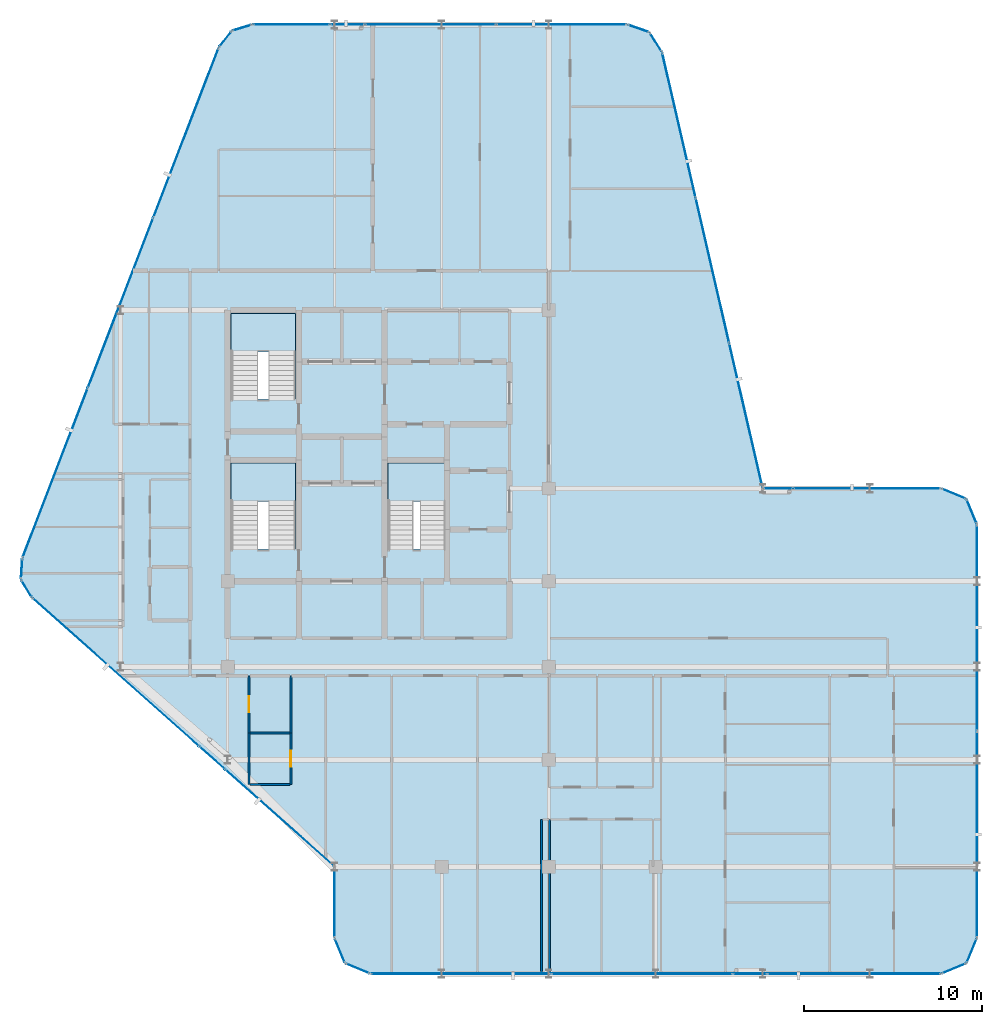
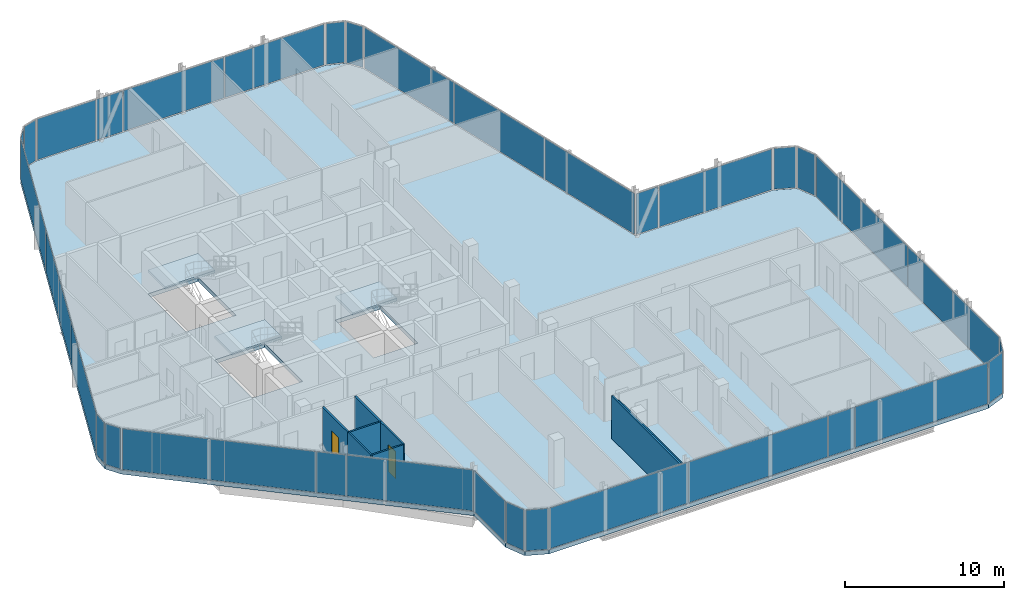
# One storey, part 22 of 28: 34 plates, 8 walls, 4 slabs, 2 doors, 2 openings, 30 elements without a shape of their own.
"""IFC4 building model written with IfcOpenShell, lengths in metres."""

import ifcopenshell
import ifcopenshell.guid

model = None  # the IFC model being written
_history = None  # IfcOwnerHistory: only IFC2X3 demands one
_inside = {}  # id of a spatial element -> (the spatial element, [elements in it])
_under = {}  # id of a project, library or spatial element -> (it, [spatial elements below it])
_declared = {}  # id of a project -> (the project, [libraries it declares])
_typed = {}  # id of a type object -> (the type object, [elements of that type])
_made_of = {}  # id of a material, layer set ... -> (it, [elements and type objects made of it])


def new_model(schema):
    """Start an empty IFC model of exactly this schema.

    Asked for "IFC4X3", IfcOpenShell would pick the latest addendum, in which some entities
    have other attributes; the version numbers below select the first issue.
    IFC2X3 requires an IfcOwnerHistory on every rooted entity: one is made here for all.
    """
    global model, _history
    if schema == "IFC4X3":
        model = ifcopenshell.file(schema_version=(4, 3, 0, 0))
    else:
        model = ifcopenshell.file(schema=schema)
    _inside.clear()
    _under.clear()
    _declared.clear()
    _typed.clear()
    _made_of.clear()
    _history = None
    if model.schema == "IFC2X3":
        org = make("IfcOrganization", Name="unknown")
        user = make(
            "IfcPersonAndOrganization",
            ThePerson=make("IfcPerson", FamilyName="unknown"),
            TheOrganization=org,
        )
        app = make(
            "IfcApplication",
            ApplicationDeveloper=org,
            Version="unknown",
            ApplicationFullName="unknown",
            ApplicationIdentifier="unknown",
        )
        _history = make(
            "IfcOwnerHistory",
            OwningUser=user,
            OwningApplication=app,
            ChangeAction="ADDED",
            CreationDate=0,
        )
    return model


def make(cls, **values):
    """One entity of the class cls with the attributes given. An attribute that is None is left unset."""
    return model.create_entity(
        cls, **{name: value for name, value in values.items() if value is not None}
    )


def rooted(cls, **values):
    """An entity with a GlobalId (a new one), such as an element, a storey or a relation."""
    return make(cls, GlobalId=ifcopenshell.guid.new(), OwnerHistory=_history, **values)


def si_unit(unit_type, name, prefix=None):
    """IfcSIUnit, for example si_unit("LENGTHUNIT", "METRE", prefix="MILLI")."""
    return make("IfcSIUnit", UnitType=unit_type, Prefix=prefix, Name=name)


def assignment(units):
    """IfcUnitAssignment: the units of a project."""
    return None if units is None else make("IfcUnitAssignment", Units=units)


def point(xyz):
    """IfcCartesianPoint."""
    return None if xyz is None else make("IfcCartesianPoint", Coordinates=xyz)


def direction(xyz):
    """IfcDirection."""
    return None if xyz is None else make("IfcDirection", DirectionRatios=xyz)


def frame(location, z_axis=None, x_axis=None):
    """IfcAxis2Placement3D, a coordinate frame: its origin and axes. An axis left out is left unset."""
    return make(
        "IfcAxis2Placement3D",
        Location=point(location),
        Axis=direction(z_axis),
        RefDirection=direction(x_axis),
    )


def frame_2d(location, x_axis=None):
    """IfcAxis2Placement2D, a coordinate frame in the plane: its origin and x axis."""
    return make(
        "IfcAxis2Placement2D", Location=point(location), RefDirection=direction(x_axis)
    )


def origin():
    """The frame at (0, 0, 0) with its axes left unset."""
    return frame((0.0, 0.0, 0.0))


def origin_2d():
    """The frame at (0, 0) in the plane with its x axis left unset."""
    return frame_2d((0.0, 0.0))


def place(relative_to, where):
    """IfcLocalPlacement: puts the frame where relative to a parent placement (None: the world)."""
    return make(
        "IfcLocalPlacement", PlacementRelTo=relative_to, RelativePlacement=where
    )


def context(
    kind, dimensions, precision=None, world=None, true_north=None, identifier=None
):
    """IfcGeometricRepresentationContext, for example the 3D "Model" context."""
    return make(
        "IfcGeometricRepresentationContext",
        ContextIdentifier=identifier,
        ContextType=kind,
        CoordinateSpaceDimension=dimensions,
        Precision=precision,
        WorldCoordinateSystem=world,
        TrueNorth=true_north,
    )


def subcontext(parent, identifier, kind, view, scale=None):
    """IfcGeometricRepresentationSubContext, for example "Body" below "Model"."""
    return make(
        "IfcGeometricRepresentationSubContext",
        ContextIdentifier=identifier,
        ContextType=kind,
        ParentContext=parent,
        TargetScale=scale,
        TargetView=view,
    )


def project(units=None, contexts=None):
    """IfcProject with its units and contexts."""
    return rooted(
        "IfcProject",
        Name="project",
        RepresentationContexts=contexts,
        UnitsInContext=assignment(units),
    )


def spatial(cls, under=None, at=None, **own):
    """A site, building, storey or space (cls), placed at a placement, below another one or the project."""
    s = rooted(cls, ObjectPlacement=at, **own)
    if under is not None:
        _under.setdefault(under.id(), (under, []))[1].append(s)
    return s


def polyline(points):
    """IfcPolyline through the points."""
    return make("IfcPolyline", Points=[point(p) for p in points])


def profile(cls, at=None, kind="AREA", **sizes):
    """A parametric profile (cls). Its sizes go by their IFC names, for example OverallWidth=200.0."""
    return make(cls, ProfileType=kind, Position=at, **sizes)


def rectangle(**sizes):
    """IfcRectangleProfileDef."""
    return profile("IfcRectangleProfileDef", **sizes)


def outline(outer, holes=None, kind="AREA"):
    """IfcArbitraryClosedProfileDef: a profile drawn as a closed curve; with holes, ...WithVoids."""
    if holes is None:
        return make("IfcArbitraryClosedProfileDef", ProfileType=kind, OuterCurve=outer)
    return make(
        "IfcArbitraryProfileDefWithVoids",
        ProfileType=kind,
        OuterCurve=outer,
        InnerCurves=holes,
    )


def extrude(swept, where, along, depth):
    """IfcExtrudedAreaSolid: the profile swept, set in the frame where, extruded along a direction by depth."""
    return make(
        "IfcExtrudedAreaSolid",
        SweptArea=swept,
        Position=where,
        ExtrudedDirection=direction(along),
        Depth=depth,
    )


def shape(context_of_items, identifier, shape_type, items):
    """IfcShapeRepresentation: the items that make up one representation, for example the "Body"."""
    return make(
        "IfcShapeRepresentation",
        ContextOfItems=context_of_items,
        RepresentationIdentifier=identifier,
        RepresentationType=shape_type,
        Items=items,
    )


def material(Name=None, Category=None):
    """IfcMaterial."""
    return make("IfcMaterial", Name=Name, Category=Category)


def layer(
    of_material, thickness, ventilated=None, Name=None, Category=None, Priority=None
):
    """IfcMaterialLayer: one layer of a wall or slab, of a material (None: an air gap)."""
    return make(
        "IfcMaterialLayer",
        Material=of_material,
        LayerThickness=thickness,
        IsVentilated=ventilated,
        Name=Name,
        Category=Category,
        Priority=Priority,
    )


def layer_set(layers, Name=None):
    """IfcMaterialLayerSet."""
    return make("IfcMaterialLayerSet", MaterialLayers=layers, LayerSetName=Name)


def made_of(thing, what):
    """Note that an element or type object is made of a material, layer set ...; save() writes the relation."""
    if what is not None:
        _made_of.setdefault(what.id(), (what, []))[1].append(thing)
    return thing


def type_object(cls, material=None, **own):
    """A type object (cls), such as IfcWallType, which elements share."""
    return made_of(rooted(cls, **own), material)


def element(
    cls,
    number,
    at=None,
    inside=None,
    cuts=None,
    type_object=None,
    material=None,
    context=None,
    identifier="Body",
    shape_type=None,
    held_by="IfcProductDefinitionShape",
    body=None,
    shapes=None,
    **own,
):
    """One element of the class cls, such as IfcWall. Its Tag is "e" and its number.

    at: its placement. inside: the storey or other place that contains it. cuts: it is an
    opening in that element (IfcRelVoidsElement). A single representation is given by context,
    identifier, shape_type and body (its items); several are given by shapes. held_by: the class
    of the entity that holds the representations. save() writes the other relations.
    """
    e = rooted(cls, Tag="e%d" % number, ObjectPlacement=at, **own)
    if body is not None:
        shapes = [shape(context, identifier, shape_type, body)]
    if shapes is not None:
        e.Representation = make(held_by, Representations=shapes)
    if inside is not None:
        _inside.setdefault(inside.id(), (inside, []))[1].append(e)
    if cuts is not None:
        rooted(
            "IfcRelVoidsElement", RelatingBuildingElement=cuts, RelatedOpeningElement=e
        )
    if type_object is not None:
        _typed.setdefault(type_object.id(), (type_object, []))[1].append(e)
    return made_of(e, material)


def fill(opening, filler):
    """IfcRelFillsElement: the door or window that sits in an opening."""
    return rooted(
        "IfcRelFillsElement",
        RelatingOpeningElement=opening,
        RelatedBuildingElement=filler,
    )


def aggregate(whole, parts):
    """IfcRelAggregates: a whole, such as a stair, and the parts it consists of."""
    return rooted("IfcRelAggregates", RelatingObject=whole, RelatedObjects=parts)


def save(model, path):
    """Write the relations noted so far, then the file.

    IfcRelAggregates (storeys below a building ...), IfcRelContainedInSpatialStructure (elements
    in a storey), IfcRelDefinesByType, IfcRelAssociatesMaterial and IfcRelDeclares: one each for
    every whole, place, type object, material and project.
    """
    for whole, parts in _under.values():
        aggregate(whole, parts)
    for where, things in _inside.values():
        rooted(
            "IfcRelContainedInSpatialStructure",
            RelatedElements=things,
            RelatingStructure=where,
        )
    for kind, things in _typed.values():
        rooted("IfcRelDefinesByType", RelatedObjects=things, RelatingType=kind)
    for what, things in _made_of.values():
        rooted("IfcRelAssociatesMaterial", RelatedObjects=things, RelatingMaterial=what)
    for by, libraries in _declared.values():
        rooted("IfcRelDeclares", RelatingContext=by, RelatedDefinitions=libraries)
    model.write(path)


model = new_model("IFC4")

# Units and contexts
model_context = context("Model", 3, precision=1e-05, world=origin(), true_north=direction((0.0, 1.0)))
body_context = subcontext(model_context, "Body", "Model", "MODEL_VIEW")
ifc_project = project(units=[si_unit("LENGTHUNIT", "METRE"), si_unit("AREAUNIT", "SQUARE_METRE"), si_unit("VOLUMEUNIT", "CUBIC_METRE"), si_unit("PLANEANGLEUNIT", "RADIAN"), si_unit("MASSUNIT", "GRAM", prefix="KILO")], contexts=[model_context])

# Site, building, storey
site_placement = place(None, origin())
site = spatial("IfcSite", under=ifc_project, at=site_placement, CompositionType="ELEMENT")
building_placement = place(site_placement, origin())
building = spatial("IfcBuilding", under=site, at=building_placement, Name="Keshet Zoharim Tower", CompositionType="ELEMENT")
storey_placement = place(building_placement, frame((0.0, 0.0, 233.89990234375)))
storey = spatial("IfcBuildingStorey", under=building, at=storey_placement, Name="L58", CompositionType="ELEMENT", Elevation=233.89990234375)

# Curtain wall, plate
ifc_material_1 = material(Name="Aluminium 6063-T6", Category="aluminium")
ifc_layer_1 = layer(ifc_material_1, 0.139892578125)
ifc_layer_set_1 = layer_set([ifc_layer_1], Name="Aluminium 6063-T6")
curtain_wall_type = type_object("IfcCurtainWallType", Name="CW-SYS-05", PredefinedType="NOTDEFINED", material=ifc_layer_set_1)
curtain_wall_1_placement = place(storey_placement, origin())
curtain_wall_1 = element("IfcCurtainWall", 1, at=curtain_wall_1_placement, inside=storey, type_object=curtain_wall_type, Name="L58 Unitised Curtain Wall 01", PredefinedType="NOTDEFINED")
ifc_material_2 = material(Name="Insulated Low-E Clear Glass", Category="glass")
ifc_layer_2 = layer(ifc_material_2, 0.031982421875)
ifc_layer_set_2 = layer_set([ifc_layer_2], Name="Insulated Low-E Clear Glass")
plate_type_1 = type_object("IfcPlateType", Name="CWP-02", PredefinedType="CURTAIN_PANEL", material=ifc_layer_set_2)
plate_1_placement = place(storey_placement, frame((55.70703125, 27.60693359375, 0.0703125), z_axis=(0.0, 0.0, 1.0), x_axis=(0.92380975372, -0.382851849847, 0.0)))
plate_1 = element("IfcPlate", 2, at=plate_1_placement, type_object=plate_type_1, Name="CW-05 panel 1.1", PredefinedType="CURTAIN_PANEL", context=body_context, shape_type="SweptSolid", body=[
    extrude(rectangle(XDim=1.390625, YDim=0.031982421875, at=origin_2d()), origin(), (0.0, 0.0, 1.0), 3.139892578125),
])
aggregate(curtain_wall_1, [plate_1])

curtain_wall_2_placement = place(storey_placement, origin())
curtain_wall_2 = element("IfcCurtainWall", 3, at=curtain_wall_2_placement, inside=storey, type_object=curtain_wall_type, Name="L58 Unitised Curtain Wall 02", PredefinedType="NOTDEFINED")
plate_2_placement = place(storey_placement, frame((56.70703125, 26.60693359375, 0.0703125), z_axis=(0.0, 0.0, 1.0), x_axis=(0.382851849847, -0.92380975372, 0.0)))
plate_2 = element("IfcPlate", 4, at=plate_2_placement, type_object=plate_type_1, Name="CW-05 panel 1.1", PredefinedType="CURTAIN_PANEL", context=body_context, shape_type="SweptSolid", body=[
    extrude(rectangle(XDim=1.390625, YDim=0.031982421875, at=origin_2d()), origin(), (0.0, 0.0, 1.0), 3.139892578125),
])
aggregate(curtain_wall_2, [plate_2])

# Curtain wall, plates
curtain_wall_3_placement = place(storey_placement, origin())
curtain_wall_3 = element("IfcCurtainWall", 5, at=curtain_wall_3_placement, inside=storey, type_object=curtain_wall_type, Name="L58 Unitised Curtain Wall 03", PredefinedType="NOTDEFINED")
plate_3_placement = place(storey_placement, frame((57.0, 20.08251953125, 0.0703125), z_axis=(0.0, 0.0, 1.0), x_axis=(0.0, -1.0, 0.0)))
plate_3 = element("IfcPlate", 6, at=plate_3_placement, type_object=plate_type_1, Name="CW-05 panel 1.1", PredefinedType="CURTAIN_PANEL", context=body_context, shape_type="SweptSolid", body=[
    extrude(rectangle(XDim=11.4951171875, YDim=0.031982421875, at=origin_2d()), origin(), (0.0, 0.0, 1.0), 3.139892578125),
])
plate_4_placement = place(storey_placement, frame((57.0, 8.517578125, 0.0703125), z_axis=(0.0, 0.0, 1.0), x_axis=(0.0, -1.0, 0.0)))
plate_4 = element("IfcPlate", 7, at=plate_4_placement, type_object=plate_type_1, Name="CW-05 panel 2.1", PredefinedType="CURTAIN_PANEL", context=body_context, shape_type="SweptSolid", body=[
    extrude(rectangle(XDim=11.4951171875, YDim=0.031982421875, at=origin_2d()), origin(), (0.0, 0.0, 1.0), 3.139892578125),
])
aggregate(curtain_wall_3, [plate_3, plate_4])

# Curtain wall, plate
curtain_wall_4_placement = place(storey_placement, origin())
curtain_wall_4 = element("IfcCurtainWall", 8, at=curtain_wall_4_placement, inside=storey, type_object=curtain_wall_type, Name="L58 Unitised Curtain Wall 04", PredefinedType="NOTDEFINED")
plate_5_placement = place(storey_placement, frame((56.70703125, 1.992919921875, 0.0703125), z_axis=(0.0, 0.0, 1.0), x_axis=(-0.382851849847, -0.92380975372, 0.0)))
plate_5 = element("IfcPlate", 9, at=plate_5_placement, type_object=plate_type_1, Name="CW-05 panel 1.1", PredefinedType="CURTAIN_PANEL", context=body_context, shape_type="SweptSolid", body=[
    extrude(rectangle(XDim=1.390625, YDim=0.031982421875, at=origin_2d()), origin(), (0.0, 0.0, 1.0), 3.139892578125),
])
aggregate(curtain_wall_4, [plate_5])

curtain_wall_5_placement = place(storey_placement, origin())
curtain_wall_5 = element("IfcCurtainWall", 10, at=curtain_wall_5_placement, inside=storey, type_object=curtain_wall_type, Name="L58 Unitised Curtain Wall 05", PredefinedType="NOTDEFINED")
plate_6_placement = place(storey_placement, frame((55.70703125, 0.992919921875, 0.0703125), z_axis=(0.0, 0.0, 1.0), x_axis=(-0.92380975372, -0.382851849847, 0.0)))
plate_6 = element("IfcPlate", 11, at=plate_6_placement, type_object=plate_type_1, Name="CW-05 panel 1.1", PredefinedType="CURTAIN_PANEL", context=body_context, shape_type="SweptSolid", body=[
    extrude(rectangle(XDim=1.390625, YDim=0.031982421875, at=origin_2d()), origin(), (0.0, 0.0, 1.0), 3.139892578125),
])
aggregate(curtain_wall_5, [plate_6])

curtain_wall_6_placement = place(storey_placement, origin())
curtain_wall_6 = element("IfcCurtainWall", 12, at=curtain_wall_6_placement, inside=storey, type_object=curtain_wall_type, Name="L58 Unitised Curtain Wall 06", PredefinedType="NOTDEFINED")
plate_7_placement = place(storey_placement, frame((50.112060546875, 0.699951171875, 0.0703125), z_axis=(0.0, 0.0, 1.0), x_axis=(-1.0, 0.0, 0.0)))
plate_7 = element("IfcPlate", 13, at=plate_7_placement, type_object=plate_type_1, Name="CW-05 panel 1.1", PredefinedType="CURTAIN_PANEL", context=body_context, shape_type="SweptSolid", body=[
    extrude(rectangle(XDim=9.635986328125, YDim=0.031982421875, at=origin_2d()), origin(), (0.0, 0.0, 1.0), 3.139892578125),
])
aggregate(curtain_wall_6, [plate_7])

# Curtain wall, plates
curtain_wall_7_placement = place(storey_placement, origin())
curtain_wall_7 = element("IfcCurtainWall", 14, at=curtain_wall_7_placement, inside=storey, type_object=curtain_wall_type, Name="L58 Unitised Curtain Wall 06 Part 3", PredefinedType="NOTDEFINED")
plate_8_placement = place(storey_placement, frame((38.224365234375, 0.699951171875, 0.0703125), z_axis=(0.0, 0.0, 1.0), x_axis=(-1.0, 0.0, 0.0)))
plate_8 = element("IfcPlate", 15, at=plate_8_placement, type_object=plate_type_1, Name="CW-05 panel 1.1", PredefinedType="CURTAIN_PANEL", context=body_context, shape_type="SweptSolid", body=[
    extrude(rectangle(XDim=10.10302734375, YDim=0.031982421875, at=origin_2d()), origin(), (0.0, 0.0, 1.0), 3.139892578125),
])
plate_9_placement = place(storey_placement, frame((28.08642578125, 0.699951171875, 0.0703125), z_axis=(0.0, 0.0, 1.0), x_axis=(-1.0, 0.0, 0.0)))
plate_9 = element("IfcPlate", 16, at=plate_9_placement, type_object=plate_type_1, Name="CW-05 panel 2.1", PredefinedType="CURTAIN_PANEL", context=body_context, shape_type="SweptSolid", body=[
    extrude(rectangle(XDim=10.032958984375, YDim=0.031982421875, at=origin_2d()), origin(), (0.0, 0.0, 1.0), 3.139892578125),
])
aggregate(curtain_wall_7, [plate_8, plate_9])

# Curtain wall, plate
curtain_wall_8_placement = place(storey_placement, origin())
curtain_wall_8 = element("IfcCurtainWall", 17, at=curtain_wall_8_placement, inside=storey, type_object=curtain_wall_type, Name="L58 Unitised Curtain Wall 07", PredefinedType="NOTDEFINED")
plate_10_placement = place(storey_placement, frame((22.29296875, 0.992919921875, 0.0703125), z_axis=(0.0, 0.0, 1.0), x_axis=(-0.92380975372, 0.382851849847, 0.0)))
plate_10 = element("IfcPlate", 18, at=plate_10_placement, type_object=plate_type_1, Name="CW-05 panel 1.1", PredefinedType="CURTAIN_PANEL", context=body_context, shape_type="SweptSolid", body=[
    extrude(rectangle(XDim=1.390625, YDim=0.031982421875, at=origin_2d()), origin(), (0.0, 0.0, 1.0), 3.139892578125),
])
aggregate(curtain_wall_8, [plate_10])

curtain_wall_9_placement = place(storey_placement, origin())
curtain_wall_9 = element("IfcCurtainWall", 19, at=curtain_wall_9_placement, inside=storey, type_object=curtain_wall_type, Name="L58 Unitised Curtain Wall 08", PredefinedType="NOTDEFINED")
plate_11_placement = place(storey_placement, frame((21.29296875, 1.992919921875, 0.0703125), z_axis=(0.0, 0.0, 1.0), x_axis=(-0.382851849847, 0.92380975372, 0.0)))
plate_11 = element("IfcPlate", 20, at=plate_11_placement, type_object=plate_type_1, Name="CW-05 panel 1.1", PredefinedType="CURTAIN_PANEL", context=body_context, shape_type="SweptSolid", body=[
    extrude(rectangle(XDim=1.390625, YDim=0.031982421875, at=origin_2d()), origin(), (0.0, 0.0, 1.0), 3.139892578125),
])
aggregate(curtain_wall_9, [plate_11])

curtain_wall_10_placement = place(storey_placement, origin())
curtain_wall_10 = element("IfcCurtainWall", 21, at=curtain_wall_10_placement, inside=storey, type_object=curtain_wall_type, Name="L58 Unitised Curtain Wall 09", PredefinedType="NOTDEFINED")
plate_12_placement = place(storey_placement, frame((21.0, 4.699951171875, 0.0703125), z_axis=(0.0, 0.0, 1.0), x_axis=(0.0, 1.0, 0.0)))
plate_12 = element("IfcPlate", 22, at=plate_12_placement, type_object=plate_type_1, Name="CW-05 panel 1.1", PredefinedType="CURTAIN_PANEL", context=body_context, shape_type="SweptSolid", body=[
    extrude(rectangle(XDim=3.860107421875, YDim=0.031982421875, at=origin_2d()), origin(), (0.0, 0.0, 1.0), 3.139892578125),
])
aggregate(curtain_wall_10, [plate_12])

curtain_wall_11_placement = place(storey_placement, origin())
curtain_wall_11 = element("IfcCurtainWall", 23, at=curtain_wall_11_placement, inside=storey, type_object=curtain_wall_type, Name="L58 Unitised Curtain Wall 10", PredefinedType="NOTDEFINED")
plate_13_placement = place(storey_placement, frame((17.918212890625, 9.439453125, 0.0703125), z_axis=(0.0, 0.0, 1.0), x_axis=(-0.747406642562, 0.664366849455, 0.0)))
plate_13 = element("IfcPlate", 24, at=plate_13_placement, type_object=plate_type_1, Name="CW-05 panel 1.1", PredefinedType="CURTAIN_PANEL", context=body_context, shape_type="SweptSolid", body=[
    extrude(rectangle(XDim=8.106689453125, YDim=0.031982421875, at=origin_2d()), origin(), (0.0, 0.0, 1.0), 3.139892578125),
])
aggregate(curtain_wall_11, [plate_13])

curtain_wall_12_placement = place(storey_placement, origin())
curtain_wall_12 = element("IfcCurtainWall", 25, at=curtain_wall_12_placement, inside=storey, type_object=curtain_wall_type, Name="L58 Unitised Curtain Wall 10 Part 3", PredefinedType="NOTDEFINED")
plate_14_placement = place(storey_placement, frame((8.733642578125, 17.603271484375, 0.0703125), z_axis=(0.0, 0.0, 1.0), x_axis=(-0.747407112395, 0.664366320896, 0.0)))
plate_14 = element("IfcPlate", 26, at=plate_14_placement, type_object=plate_type_1, Name="CW-05 panel 1.1", PredefinedType="CURTAIN_PANEL", context=body_context, shape_type="SweptSolid", body=[
    extrude(rectangle(XDim=12.43359375, YDim=0.031982421875, at=origin_2d()), origin(), (0.0, 0.0, 1.0), 3.139892578125),
])
aggregate(curtain_wall_12, [plate_14])

curtain_wall_13_placement = place(storey_placement, origin())
curtain_wall_13 = element("IfcCurtainWall", 27, at=curtain_wall_13_placement, inside=storey, type_object=curtain_wall_type, Name="L58 Unitised Curtain Wall 11", PredefinedType="NOTDEFINED")
plate_15_placement = place(storey_placement, frame((3.7275390625, 22.291015625, 0.0703125), z_axis=(0.0, 0.0, 1.0), x_axis=(-0.515604947933, 0.856826433805, 0.0)))
plate_15 = element("IfcPlate", 28, at=plate_15_placement, type_object=plate_type_1, Name="CW-05 panel 1.1", PredefinedType="CURTAIN_PANEL", context=body_context, shape_type="SweptSolid", body=[
    extrude(rectangle(XDim=1.052734375, YDim=0.031982421875, at=origin_2d()), origin(), (0.0, 0.0, 1.0), 3.139892578125),
])
aggregate(curtain_wall_13, [plate_15])

curtain_wall_14_placement = place(storey_placement, origin())
curtain_wall_14 = element("IfcCurtainWall", 29, at=curtain_wall_14_placement, inside=storey, type_object=curtain_wall_type, Name="L58 Unitised Curtain Wall 12", PredefinedType="NOTDEFINED")
plate_16_placement = place(storey_placement, frame((3.45849609375, 23.3974609375, 0.0703125), z_axis=(0.0, 0.0, 1.0), x_axis=(0.064516859374, 0.997916617186, 0.0)))
plate_16 = element("IfcPlate", 30, at=plate_16_placement, type_object=plate_type_1, Name="CW-05 panel 1.1", PredefinedType="CURTAIN_PANEL", context=body_context, shape_type="SweptSolid", body=[
    extrude(rectangle(XDim=1.053466796875, YDim=0.031982421875, at=origin_2d()), origin(), (0.0, 0.0, 1.0), 3.139892578125),
])
aggregate(curtain_wall_14, [plate_16])

# Curtain wall, plates
curtain_wall_15_placement = place(storey_placement, origin())
curtain_wall_15 = element("IfcCurtainWall", 31, at=curtain_wall_15_placement, inside=storey, type_object=curtain_wall_type, Name="L58 Unitised Curtain Wall 13", PredefinedType="NOTDEFINED")
plate_17_placement = place(storey_placement, frame((5.33837890625, 28.7802734375, 0.0703125), z_axis=(0.0, 0.0, 1.0), x_axis=(0.358990003907, 0.933341404361, 0.0)))
plate_17 = element("IfcPlate", 32, at=plate_17_placement, type_object=plate_type_1, Name="CW-05 panel 1.1", PredefinedType="CURTAIN_PANEL", context=body_context, shape_type="SweptSolid", body=[
    extrude(rectangle(XDim=10.1181640625, YDim=0.031982421875, at=origin_2d()), origin(), (0.0, 0.0, 1.0), 3.139892578125),
])
plate_18_placement = place(storey_placement, frame((9.001953125, 38.305419921875, 0.0703125), z_axis=(0.0, 0.0, 1.0), x_axis=(0.358990003907, 0.933341404361, 0.0)))
plate_18 = element("IfcPlate", 33, at=plate_18_placement, type_object=plate_type_1, Name="CW-05 panel 2.1", PredefinedType="CURTAIN_PANEL", context=body_context, shape_type="SweptSolid", body=[
    extrude(rectangle(XDim=10.153076171875, YDim=0.031982421875, at=origin_2d()), origin(), (0.0, 0.0, 1.0), 3.139892578125),
])
plate_19_placement = place(storey_placement, frame((12.665771484375, 47.830810546875, 0.0703125), z_axis=(0.0, 0.0, 1.0), x_axis=(0.358990003907, 0.933341404361, 0.0)))
plate_19 = element("IfcPlate", 34, at=plate_19_placement, type_object=plate_type_1, Name="CW-05 panel 3.1", PredefinedType="CURTAIN_PANEL", context=body_context, shape_type="SweptSolid", body=[
    extrude(rectangle(XDim=10.1181640625, YDim=0.031982421875, at=origin_2d()), origin(), (0.0, 0.0, 1.0), 3.139892578125),
])
aggregate(curtain_wall_15, [plate_17, plate_18, plate_19])

# Curtain wall, plate
curtain_wall_16_placement = place(storey_placement, origin())
curtain_wall_16 = element("IfcCurtainWall", 35, at=curtain_wall_16_placement, inside=storey, type_object=curtain_wall_type, Name="L58 Unitised Curtain Wall 14", PredefinedType="NOTDEFINED")
plate_20_placement = place(storey_placement, frame((14.8740234375, 53.08349609375, 0.0703125), z_axis=(0.0, 0.0, 1.0), x_axis=(0.619124525989, 0.785292825205, 0.0)))
plate_20 = element("IfcPlate", 36, at=plate_20_placement, type_object=plate_type_1, Name="CW-05 panel 1.1", PredefinedType="CURTAIN_PANEL", context=body_context, shape_type="SweptSolid", body=[
    extrude(rectangle(XDim=1.045654296875, YDim=0.031982421875, at=origin_2d()), origin(), (0.0, 0.0, 1.0), 3.139892578125),
])
aggregate(curtain_wall_16, [plate_20])

curtain_wall_17_placement = place(storey_placement, origin())
curtain_wall_17 = element("IfcCurtainWall", 37, at=curtain_wall_17_placement, inside=storey, type_object=curtain_wall_type, Name="L58 Unitised Curtain Wall 15", PredefinedType="NOTDEFINED")
plate_21_placement = place(storey_placement, frame((15.8076171875, 53.724609375, 0.0703125), z_axis=(0.0, 0.0, 1.0), x_axis=(0.955212151288, 0.295921857984, 0.0)))
plate_21 = element("IfcPlate", 38, at=plate_21_placement, type_object=plate_type_1, Name="CW-05 panel 1.1", PredefinedType="CURTAIN_PANEL", context=body_context, shape_type="SweptSolid", body=[
    extrude(rectangle(XDim=1.046142578125, YDim=0.031982421875, at=origin_2d()), origin(), (0.0, 0.0, 1.0), 3.139892578125),
])
aggregate(curtain_wall_17, [plate_21])

curtain_wall_18_placement = place(storey_placement, origin())
curtain_wall_18 = element("IfcCurtainWall", 39, at=curtain_wall_18_placement, inside=storey, type_object=curtain_wall_type, Name="L58 Unitised Curtain Wall 16", PredefinedType="NOTDEFINED")
plate_22_placement = place(storey_placement, frame((18.574951171875, 53.89990234375, 0.0703125), z_axis=(0.0, 0.0, 1.0), x_axis=(1.0, 0.0, 0.0)))
plate_22 = element("IfcPlate", 40, at=plate_22_placement, type_object=plate_type_1, Name="CW-05 panel 1.1", PredefinedType="CURTAIN_PANEL", context=body_context, shape_type="SweptSolid", body=[
    extrude(rectangle(XDim=4.261962890625, YDim=0.031982421875, at=origin_2d()), origin(), (0.0, 0.0, 1.0), 3.139892578125),
])
aggregate(curtain_wall_18, [plate_22])

# Curtain wall, plates
curtain_wall_19_placement = place(storey_placement, origin())
curtain_wall_19 = element("IfcCurtainWall", 41, at=curtain_wall_19_placement, inside=storey, type_object=curtain_wall_type, Name="L58 Unitised Curtain Wall 16 Part 3", PredefinedType="NOTDEFINED")
plate_23_placement = place(storey_placement, frame((26.3779296875, 53.89990234375, 0.0703125), z_axis=(0.0, 0.0, 1.0), x_axis=(1.0, 0.0, 0.0)))
plate_23 = element("IfcPlate", 42, at=plate_23_placement, type_object=plate_type_1, Name="CW-05 panel 1.1", PredefinedType="CURTAIN_PANEL", context=body_context, shape_type="SweptSolid", body=[
    extrude(rectangle(XDim=7.307373046875, YDim=0.031982421875, at=origin_2d()), origin(), (0.0, 0.0, 1.0), 3.139892578125),
])
plate_24_placement = place(storey_placement, frame((33.72021484375, 53.89990234375, 0.0703125), z_axis=(0.0, 0.0, 1.0), x_axis=(1.0, 0.0, 0.0)))
plate_24 = element("IfcPlate", 43, at=plate_24_placement, type_object=plate_type_1, Name="CW-05 panel 2.1", PredefinedType="CURTAIN_PANEL", context=body_context, shape_type="SweptSolid", body=[
    extrude(rectangle(XDim=7.237548828125, YDim=0.031982421875, at=origin_2d()), origin(), (0.0, 0.0, 1.0), 3.139892578125),
])
aggregate(curtain_wall_19, [plate_23, plate_24])

# Curtain wall, plate
curtain_wall_20_placement = place(storey_placement, origin())
curtain_wall_20 = element("IfcCurtainWall", 44, at=curtain_wall_20_placement, inside=storey, type_object=curtain_wall_type, Name="L58 Unitised Curtain Wall 17", PredefinedType="NOTDEFINED")
plate_25_placement = place(storey_placement, frame((38.031494140625, 53.6826171875, 0.0703125), z_axis=(0.0, 0.0, 1.0), x_axis=(0.944035542119, -0.329843743636, 0.0)))
plate_25 = element("IfcPlate", 45, at=plate_25_placement, type_object=plate_type_1, Name="CW-05 panel 1.1", PredefinedType="CURTAIN_PANEL", context=body_context, shape_type="SweptSolid", body=[
    extrude(rectangle(XDim=1.1787109375, YDim=0.031982421875, at=origin_2d()), origin(), (0.0, 0.0, 1.0), 3.139892578125),
])
aggregate(curtain_wall_20, [plate_25])

curtain_wall_21_placement = place(storey_placement, origin())
curtain_wall_21 = element("IfcCurtainWall", 46, at=curtain_wall_21_placement, inside=storey, type_object=curtain_wall_type, Name="L58 Unitised Curtain Wall 18", PredefinedType="NOTDEFINED")
plate_26_placement = place(storey_placement, frame((39.006103515625, 52.907470703125, 0.0703125), z_axis=(0.0, 0.0, 1.0), x_axis=(0.533878858502, -0.845560976183, 0.0)))
plate_26 = element("IfcPlate", 47, at=plate_26_placement, type_object=plate_type_1, Name="CW-05 panel 1.1", PredefinedType="CURTAIN_PANEL", context=body_context, shape_type="SweptSolid", body=[
    extrude(rectangle(XDim=1.1787109375, YDim=0.031982421875, at=origin_2d()), origin(), (0.0, 0.0, 1.0), 3.139892578125),
])
aggregate(curtain_wall_21, [plate_26])

# Curtain wall, plates
curtain_wall_22_placement = place(storey_placement, origin())
curtain_wall_22 = element("IfcCurtainWall", 48, at=curtain_wall_22_placement, inside=storey, type_object=curtain_wall_type, Name="L58 Unitised Curtain Wall 19", PredefinedType="NOTDEFINED")
plate_27_placement = place(storey_placement, frame((40.30224609375, 48.258056640625, 0.0703125), z_axis=(0.0, 0.0, 1.0), x_axis=(0.224847864369, -0.974393882313, 0.0)))
plate_27 = element("IfcPlate", 49, at=plate_27_placement, type_object=plate_type_1, Name="CW-05 panel 1.1", PredefinedType="CURTAIN_PANEL", context=body_context, shape_type="SweptSolid", body=[
    extrude(rectangle(XDim=8.25927734375, YDim=0.031982421875, at=origin_2d()), origin(), (0.0, 0.0, 1.0), 3.139892578125),
])
plate_28_placement = place(storey_placement, frame((42.178955078125, 40.125, 0.0703125), z_axis=(0.0, 0.0, 1.0), x_axis=(0.224847864369, -0.974393882313, 0.0)))
plate_28 = element("IfcPlate", 50, at=plate_28_placement, type_object=plate_type_1, Name="CW-05 panel 2.1", PredefinedType="CURTAIN_PANEL", context=body_context, shape_type="SweptSolid", body=[
    extrude(rectangle(XDim=8.294189453125, YDim=0.031982421875, at=origin_2d()), origin(), (0.0, 0.0, 1.0), 3.139892578125),
])
plate_29_placement = place(storey_placement, frame((44.0556640625, 31.991943359375, 0.0703125), z_axis=(0.0, 0.0, 1.0), x_axis=(0.224847864369, -0.974393882313, 0.0)))
plate_29 = element("IfcPlate", 51, at=plate_29_placement, type_object=plate_type_1, Name="CW-05 panel 3.1", PredefinedType="CURTAIN_PANEL", context=body_context, shape_type="SweptSolid", body=[
    extrude(rectangle(XDim=8.25927734375, YDim=0.031982421875, at=origin_2d()), origin(), (0.0, 0.0, 1.0), 3.139892578125),
])
aggregate(curtain_wall_22, [plate_27, plate_28, plate_29])

# Curtain wall, plate
curtain_wall_23_placement = place(storey_placement, origin())
curtain_wall_23 = element("IfcCurtainWall", 52, at=curtain_wall_23_placement, inside=storey, type_object=curtain_wall_type, Name="L58 Unitised Curtain Wall 20 Part 2", PredefinedType="NOTDEFINED")
plate_30_placement = place(storey_placement, frame((50.8271484375, 27.89990234375, 0.0703125), z_axis=(0.0, 0.0, 1.0), x_axis=(1.0, 0.0, 0.0)))
plate_30 = element("IfcPlate", 53, at=plate_30_placement, type_object=plate_type_1, Name="CW-05 panel 1.1", PredefinedType="CURTAIN_PANEL", context=body_context, shape_type="SweptSolid", body=[
    extrude(rectangle(XDim=8.205810546875, YDim=0.031982421875, at=origin_2d()), origin(), (0.0, 0.0, 1.0), 3.139892578125),
])
aggregate(curtain_wall_23, [plate_30])

curtain_wall_24_placement = place(storey_placement, origin())
curtain_wall_24 = element("IfcCurtainWall", 54, at=curtain_wall_24_placement, inside=storey, type_object=curtain_wall_type, Name="L58 Unitised Curtain Wall 06 Part 2", PredefinedType="NOTDEFINED")
ifc_material_3 = material(Name="Insulated Aluminium Spandrel Panel", Category="aluminium")
ifc_layer_3 = layer(ifc_material_3, 0.031982421875)
ifc_layer_set_3 = layer_set([ifc_layer_3], Name="Insulated Aluminium Spandrel Panel")
plate_type_2 = type_object("IfcPlateType", Name="CWP-05", PredefinedType="CURTAIN_PANEL", material=ifc_layer_set_3)
plate_31_placement = place(storey_placement, frame((44.284912109375, 0.699951171875, 0.0703125), z_axis=(0.0, 0.0, 1.0), x_axis=(-1.0, 0.0, 0.0)))
plate_31 = element("IfcPlate", 55, at=plate_31_placement, type_object=plate_type_2, Name="CW-05 spandrel panel 1.1", PredefinedType="CURTAIN_PANEL", context=body_context, shape_type="SweptSolid", body=[
    extrude(rectangle(XDim=1.878173828125, YDim=0.031982421875, at=origin_2d()), origin(), (0.0, 0.0, 1.0), 3.139892578125),
])
aggregate(curtain_wall_24, [plate_31])

curtain_wall_25_placement = place(storey_placement, origin())
curtain_wall_25 = element("IfcCurtainWall", 56, at=curtain_wall_25_placement, inside=storey, type_object=curtain_wall_type, Name="L58 Unitised Curtain Wall 10 Part 2", PredefinedType="NOTDEFINED")
plate_32_placement = place(storey_placement, frame((14.134521484375, 12.802734375, 0.0703125), z_axis=(0.0, 0.0, 1.0), x_axis=(-0.747434805014, 0.6643351656, 0.0)))
plate_32 = element("IfcPlate", 57, at=plate_32_placement, type_object=plate_type_2, Name="CW-05 spandrel panel 1.1", PredefinedType="CURTAIN_PANEL", context=body_context, shape_type="SweptSolid", body=[
    extrude(rectangle(XDim=1.878173828125, YDim=0.031982421875, at=origin_2d()), origin(), (0.0, 0.0, 1.0), 3.139892578125),
])
aggregate(curtain_wall_25, [plate_32])

curtain_wall_26_placement = place(storey_placement, origin())
curtain_wall_26 = element("IfcCurtainWall", 58, at=curtain_wall_26_placement, inside=storey, type_object=curtain_wall_type, Name="L58 Unitised Curtain Wall 16 Part 2", PredefinedType="NOTDEFINED")
plate_33_placement = place(storey_placement, frame((21.715087890625, 53.89990234375, 0.0703125), z_axis=(0.0, 0.0, 1.0), x_axis=(1.0, 0.0, 0.0)))
plate_33 = element("IfcPlate", 59, at=plate_33_placement, type_object=plate_type_2, Name="CW-05 spandrel panel 1.1", PredefinedType="CURTAIN_PANEL", context=body_context, shape_type="SweptSolid", body=[
    extrude(rectangle(XDim=1.878173828125, YDim=0.031982421875, at=origin_2d()), origin(), (0.0, 0.0, 1.0), 3.139892578125),
])
aggregate(curtain_wall_26, [plate_33])

curtain_wall_27_placement = place(storey_placement, origin())
curtain_wall_27 = element("IfcCurtainWall", 60, at=curtain_wall_27_placement, inside=storey, type_object=curtain_wall_type, Name="L58 Unitised Curtain Wall 20", PredefinedType="NOTDEFINED")
plate_34_placement = place(storey_placement, frame((45.862060546875, 27.89990234375, 0.0703125), z_axis=(0.0, 0.0, 1.0), x_axis=(1.0, 0.0, 0.0)))
plate_34 = element("IfcPlate", 61, at=plate_34_placement, type_object=plate_type_2, Name="CW-05 spandrel panel 1.1", PredefinedType="CURTAIN_PANEL", context=body_context, shape_type="SweptSolid", body=[
    extrude(rectangle(XDim=1.583984375, YDim=0.031982421875, at=origin_2d()), origin(), (0.0, 0.0, 1.0), 3.139892578125),
])
aggregate(curtain_wall_27, [plate_34])

# Stair, slab
ifc_material_4 = material(Name="Concrete C50/60", Category="concrete")
stair_type = type_object("IfcStairType", Name="STR-EXIT-135", PredefinedType="HALF_TURN_STAIR", material=ifc_material_4)
stair_1_placement = place(storey_placement, origin())
stair_1 = element("IfcStair", 62, at=stair_1_placement, inside=storey, type_object=stair_type, Name="L58 Enclosed Exit Stair ST-01", PredefinedType="HALF_TURN_STAIR")
ifc_layer_4 = layer(ifc_material_4, 0.199951171875)
ifc_layer_set_4 = layer_set([ifc_layer_4], Name="Concrete C50/60")
slab_type_1 = type_object("IfcSlabType", Name="SLB-LND-200", PredefinedType="LANDING", material=ifc_layer_set_4)
slab_1_placement = place(storey_placement, frame((0.0, 0.0, 1.650146484375)))
slab_1 = element("IfcSlab", 63, at=slab_1_placement, type_object=slab_type_1, Name="ST-01 landing 1", PredefinedType="LANDING", context=body_context, shape_type="SweptSolid", body=[
    extrude(outline(polyline([(15.179931640625, 27.159912109375), (18.820068359375, 27.159912109375), (18.820068359375, 29.320068359375), (15.179931640625, 29.320068359375), (15.179931640625, 27.159912109375)])), origin(), (0.0, 0.0, 1.0), 0.199951171875),
])
aggregate(stair_1, [slab_1])

stair_2_placement = place(storey_placement, origin())
stair_2 = element("IfcStair", 64, at=stair_2_placement, inside=storey, type_object=stair_type, Name="L58 Enclosed Exit Stair ST-02", PredefinedType="HALF_TURN_STAIR")
slab_2_placement = place(storey_placement, frame((0.0, 0.0, 1.650146484375)))
slab_2 = element("IfcSlab", 65, at=slab_2_placement, type_object=slab_type_1, Name="ST-02 landing 1", PredefinedType="LANDING", context=body_context, shape_type="SweptSolid", body=[
    extrude(outline(polyline([(15.179931640625, 35.56005859375), (18.820068359375, 35.56005859375), (18.820068359375, 37.719970703125), (15.179931640625, 37.719970703125), (15.179931640625, 35.56005859375)])), origin(), (0.0, 0.0, 1.0), 0.199951171875),
])
aggregate(stair_2, [slab_2])

stair_3_placement = place(storey_placement, origin())
stair_3 = element("IfcStair", 66, at=stair_3_placement, inside=storey, type_object=stair_type, Name="L58 Enclosed Exit Stair ST-03", PredefinedType="HALF_TURN_STAIR")
slab_3_placement = place(storey_placement, frame((0.0, 0.0, 1.650146484375)))
slab_3 = element("IfcSlab", 67, at=slab_3_placement, type_object=slab_type_1, Name="ST-03 landing 1", PredefinedType="LANDING", context=body_context, shape_type="SweptSolid", body=[
    extrude(outline(polyline([(23.97998046875, 27.159912109375), (27.219970703125, 27.159912109375), (27.219970703125, 29.320068359375), (23.97998046875, 29.320068359375), (23.97998046875, 27.159912109375)])), origin(), (0.0, 0.0, 1.0), 0.199951171875),
])
aggregate(stair_3, [slab_3])

# Slab
ifc_layer_5 = layer(ifc_material_4, 0.31005859375)
ifc_layer_set_5 = layer_set([ifc_layer_5], Name="Concrete C50/60")
slab_type_2 = type_object("IfcSlabType", Name="SLB-UPP-240", PredefinedType="FLOOR", material=ifc_layer_set_5)
slab_4_placement = place(storey_placement, frame((0.0, 0.0, -0.309814453125)))
element("IfcSlab", 68, at=slab_4_placement, inside=storey, type_object=slab_type_2, Name="L58 Structural Floor Slab 1", PredefinedType="FLOOR", context=body_context, shape_type="SweptSolid", body=[
    extrude(outline(polyline([(55.0, 27.89990234375), (56.4140625, 27.31396484375), (57.0, 25.89990234375), (57.0, 2.699951171875), (56.4140625, 1.285888671875), (55.0, 0.699951171875), (23.0, 0.699951171875), (21.5859375, 1.285888671875), (21.0, 2.699951171875), (21.0, 6.699951171875), (4.034912109375, 21.780029296875), (3.419921875, 22.802001953125), (3.4970703125, 23.992919921875), (14.507080078125, 52.617919921875), (15.240966796875, 53.549072265625), (16.3740234375, 53.89990234375), (37.408935546875, 53.89990234375), (38.654052734375, 53.465087890625), (39.35791015625, 52.35009765625), (45.0, 27.89990234375), (55.0, 27.89990234375)]), holes=[polyline([(15.179931640625, 24.52001953125), (18.820068359375, 24.52001953125), (18.820068359375, 29.320068359375), (15.179931640625, 29.320068359375), (15.179931640625, 24.52001953125)]), polyline([(15.179931640625, 32.919921875), (18.820068359375, 32.919921875), (18.820068359375, 37.719970703125), (15.179931640625, 37.719970703125), (15.179931640625, 32.919921875)]), polyline([(23.97998046875, 24.52001953125), (27.219970703125, 24.52001953125), (27.219970703125, 29.320068359375), (23.97998046875, 29.320068359375), (23.97998046875, 24.52001953125)])]), origin(), (0.0, 0.0, 1.0), 0.309814453125),
])

# Wall, opening, door
ifc_material_5 = material(Name="Gypsum Plasterboard", Category="gypsum")
ifc_layer_6 = layer(ifc_material_5, 0.1201171875)
ifc_layer_set_6 = layer_set([ifc_layer_6], Name="Gypsum Plasterboard")
wall_type_1 = type_object("IfcWallType", Name="WL-PART-120", PredefinedType="PARTITIONING", material=ifc_layer_set_6)
wall_1_placement = place(storey_placement, frame((16.199951171875, 14.199951171875, 0.0), z_axis=(0.0, 0.0, 1.0), x_axis=(0.0, 1.0, 0.0)))
wall_1 = element("IfcWall", 69, at=wall_1_placement, inside=storey, type_object=wall_type_1, Name="L58 Interior Wall 023", PredefinedType="PARTITIONING", context=body_context, shape_type="SweptSolid", body=[
    extrude(rectangle(XDim=3.199951171875, YDim=0.1201171875, at=frame_2d((1.60009765625, 0.0))), origin(), (0.0, 0.0, 1.0), 3.280029296875),
])
opening_1_placement = place(wall_1_placement, frame((1.14990234375, 0.0, 0.0)))
opening_1 = element("IfcOpeningElement", 70, at=opening_1_placement, cuts=wall_1, Name="Opening D-IN90", PredefinedType="OPENING", context=body_context, shape_type="SweptSolid", body=[
    extrude(rectangle(XDim=0.89990234375, YDim=2.14990234375, at=frame_2d((0.449951171875, 1.074951171875))), frame((0.0, 0.070068359375, 0.0), z_axis=(0.0, -1.0, 0.0), x_axis=(1.0, 0.0, 0.0)), (0.0, 0.0, 1.0), 0.14013671875),
])
ifc_material_6 = material(Name="Hardwood Timber", Category="wood")
door_type_1 = type_object("IfcDoorType", Name="DR-INT-090", OperationType="NOTDEFINED", PredefinedType="DOOR", material=ifc_material_6)
door_1_placement = place(opening_1_placement, origin())
door_1 = element("IfcDoor", 71, at=door_1_placement, inside=storey, type_object=door_type_1, Name="Apartment 5801 Kitchenette Door", OperationType="SINGLE_SWING_LEFT", OverallHeight=2.14990234375, OverallWidth=0.89990234375, PredefinedType="DOOR", context=body_context, shape_type="SweptSolid", body=[
    extrude(rectangle(XDim=0.89990234375, YDim=2.14990234375, at=frame_2d((0.449951171875, 1.074951171875))), frame((0.0, 0.02490234375, 0.0), z_axis=(0.0, -1.0, 0.0), x_axis=(1.0, 0.0, 0.0)), (0.0, 0.0, 1.0), 0.050048828125),
])
fill(opening_1, door_1)

# Walls
wall_2_placement = place(storey_placement, frame((18.550048828125, 14.199951171875, 0.0), z_axis=(0.0, 0.0, 1.0), x_axis=(0.0, 1.0, 0.0)))
element("IfcWall", 72, at=wall_2_placement, inside=storey, type_object=wall_type_1, Name="L58 Interior Wall 025", PredefinedType="PARTITIONING", context=body_context, shape_type="SweptSolid", body=[
    extrude(rectangle(XDim=3.199951171875, YDim=0.1201171875, at=frame_2d((1.60009765625, 0.0))), origin(), (0.0, 0.0, 1.0), 3.280029296875),
])
wall_3_placement = place(storey_placement, frame((32.60009765625, 0.7099609375, 0.0), z_axis=(0.0, 0.0, 1.0), x_axis=(0.0, 1.0, 0.0)))
element("IfcWall", 73, at=wall_3_placement, inside=storey, type_object=wall_type_1, Name="L58 Interior Wall 059", PredefinedType="PARTITIONING", context=body_context, shape_type="SweptSolid", body=[
    extrude(rectangle(XDim=8.64013671875, YDim=0.1201171875, at=frame_2d((4.320068359375, 0.0))), origin(), (0.0, 0.0, 1.0), 3.280029296875),
])
wall_4_placement = place(storey_placement, frame((33.050048828125, 0.7099609375, 0.0), z_axis=(0.0, 0.0, 1.0), x_axis=(0.0, 1.0, 0.0)))
element("IfcWall", 74, at=wall_4_placement, inside=storey, type_object=wall_type_1, Name="L58 Interior Wall 061", PredefinedType="PARTITIONING", context=body_context, shape_type="SweptSolid", body=[
    extrude(rectangle(XDim=8.64013671875, YDim=0.1201171875, at=frame_2d((4.320068359375, 0.0))), origin(), (0.0, 0.0, 1.0), 2.780029296875),
])
ifc_layer_7 = layer(ifc_material_5, 0.1201171875)
ifc_layer_set_7 = layer_set([ifc_layer_7], Name="Gypsum Plasterboard")
wall_type_2 = type_object("IfcWallType", Name="WL-WET-120", PredefinedType="PARTITIONING", material=ifc_layer_set_7)
wall_5_placement = place(storey_placement, frame((16.199951171875, 11.300048828125, 0.0), z_axis=(0.0, 0.0, 1.0), x_axis=(0.0, 1.0, 0.0)))
element("IfcWall", 75, at=wall_5_placement, inside=storey, type_object=wall_type_2, Name="L58 Interior Wall 022", PredefinedType="PARTITIONING", context=body_context, shape_type="SweptSolid", body=[
    extrude(rectangle(XDim=2.89990234375, YDim=0.1201171875, at=frame_2d((1.449951171875, 0.0))), origin(), (0.0, 0.0, 1.0), 3.280029296875),
])

# Wall, opening, door
wall_6_placement = place(storey_placement, frame((18.550048828125, 11.300048828125, 0.0), z_axis=(0.0, 0.0, 1.0), x_axis=(0.0, 1.0, 0.0)))
wall_6 = element("IfcWall", 76, at=wall_6_placement, inside=storey, type_object=wall_type_2, Name="L58 Interior Wall 024", PredefinedType="PARTITIONING", context=body_context, shape_type="SweptSolid", body=[
    extrude(rectangle(XDim=2.89990234375, YDim=0.1201171875, at=frame_2d((1.449951171875, 0.0))), origin(), (0.0, 0.0, 1.0), 3.280029296875),
])
opening_2_placement = place(wall_6_placement, frame((1.0, 0.0, 0.0)))
opening_2 = element("IfcOpeningElement", 77, at=opening_2_placement, cuts=wall_6, Name="Opening D-WT90", PredefinedType="OPENING", context=body_context, shape_type="SweptSolid", body=[
    extrude(rectangle(XDim=0.89990234375, YDim=2.10009765625, at=frame_2d((0.449951171875, 1.050048828125))), frame((0.0, 0.070068359375, 0.0), z_axis=(0.0, -1.0, 0.0), x_axis=(1.0, 0.0, 0.0)), (0.0, 0.0, 1.0), 0.14013671875),
])
door_type_2 = type_object("IfcDoorType", Name="DR-WET-090", OperationType="NOTDEFINED", PredefinedType="DOOR", material=ifc_material_6)
door_2_placement = place(opening_2_placement, origin())
door_2 = element("IfcDoor", 78, at=door_2_placement, inside=storey, type_object=door_type_2, Name="Apartment 5801 Bathroom Door", OperationType="SINGLE_SWING_RIGHT", OverallHeight=2.10009765625, OverallWidth=0.89990234375, PredefinedType="DOOR", context=body_context, shape_type="SweptSolid", body=[
    extrude(rectangle(XDim=0.89990234375, YDim=2.10009765625, at=frame_2d((0.449951171875, 1.050048828125))), frame((0.0, 0.02490234375, 0.0), z_axis=(0.0, -1.0, 0.0), x_axis=(1.0, 0.0, 0.0)), (0.0, 0.0, 1.0), 0.050048828125),
])
fill(opening_2, door_2)

# Walls
for number, where, z_axis, x_axis, name in (
    (79, (16.2451171875, 11.300048828125, 0.0), (0.0, 0.0, 1.0), (1.0, 0.0, 0.0), "L58 Interior Wall 087"),
    (80, (16.2451171875, 14.199951171875, 0.0), (0.0, 0.0, 1.0), (1.0, 0.0, 0.0), "L58 Interior Wall 090"),
):
    element("IfcWall", number, at=place(storey_placement, frame(where, z_axis=z_axis, x_axis=x_axis)), inside=storey, type_object=wall_type_2, Name=name, PredefinedType="PARTITIONING", context=body_context, shape_type="SweptSolid", body=[
        extrude(rectangle(XDim=2.259765625, YDim=0.1201171875, at=frame_2d((1.1298828125, 0.0))), origin(), (0.0, 0.0, 1.0), 3.280029296875),
    ])

save(model, "model.ifc")
